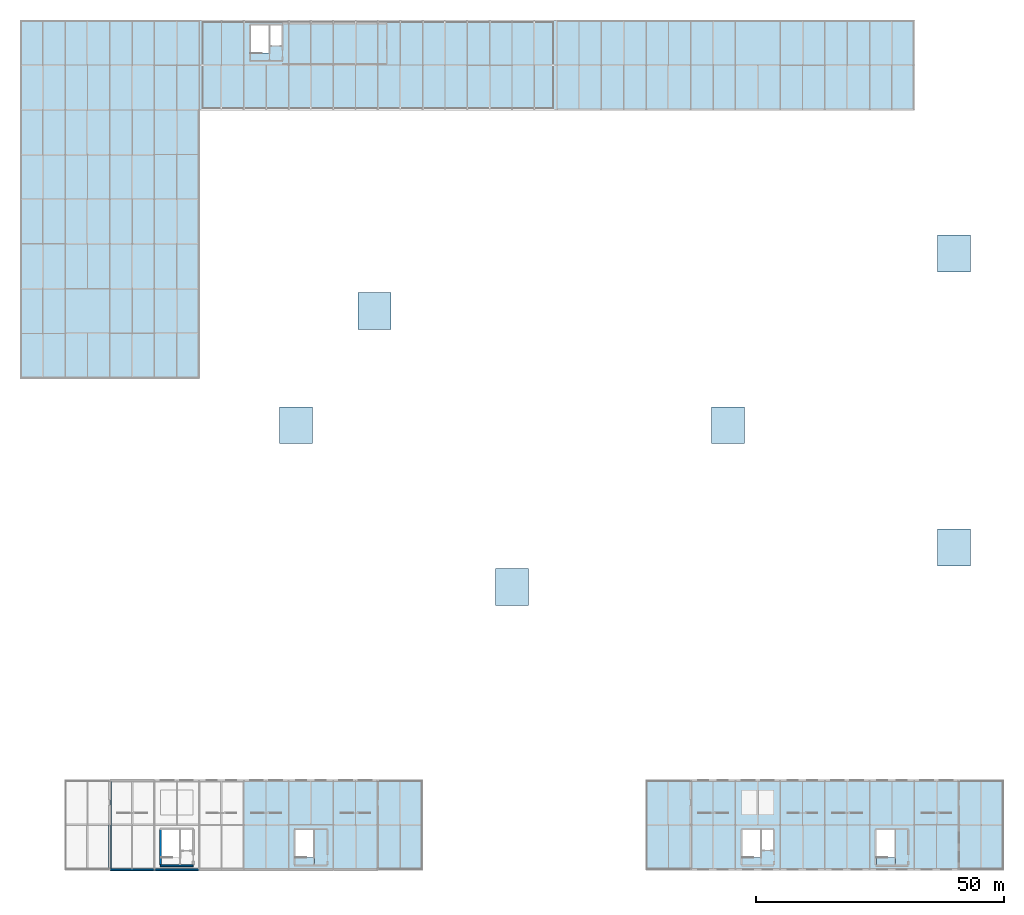
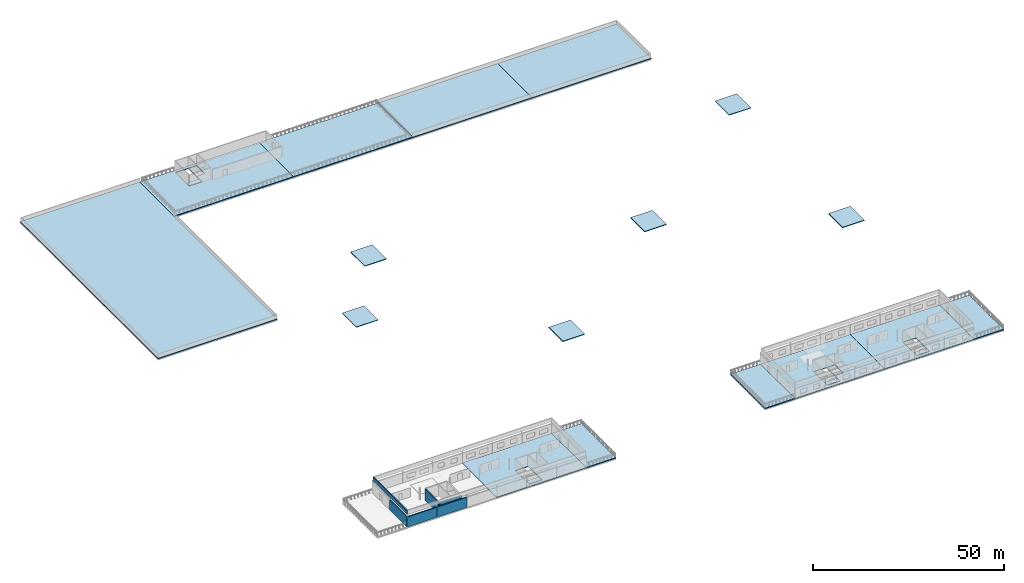
# One storey, part 8 of 18: 21 slabs, 6 walls.
"""IFC4 building model written with IfcOpenShell, lengths in metres."""

from ifc_helpers import new_model, si_unit, direction, frame, frame_2d, origin, place, context, subcontext, project, spatial, polyline, rectangle, outline, extrude, material, layer, layer_set, type_object, element, save


model = new_model("IFC4")

# Units and contexts
model_context = context("Model", 3, precision=1e-05, world=origin(), true_north=direction((0.0, 1.0)))
body_context = subcontext(model_context, "Body", "Model", "MODEL_VIEW")
ifc_project = project(units=[si_unit("LENGTHUNIT", "METRE"), si_unit("AREAUNIT", "SQUARE_METRE"), si_unit("VOLUMEUNIT", "CUBIC_METRE"), si_unit("PLANEANGLEUNIT", "RADIAN"), si_unit("MASSUNIT", "GRAM", prefix="KILO")], contexts=[model_context])

# Site, building, storey
site_placement = place(None, origin())
site = spatial("IfcSite", under=ifc_project, at=site_placement, CompositionType="ELEMENT")
building_placement = place(site_placement, origin())
building = spatial("IfcBuilding", under=site, at=building_placement, Name="Kildeholm Park Wholesale Market", CompositionType="ELEMENT")
storey_placement = place(building_placement, frame((0.0, 0.0, 13.5)))
storey = spatial("IfcBuildingStorey", under=building, at=storey_placement, Name="L03", CompositionType="ELEMENT", Elevation=13.5)

# Slabs
ifc_material_1 = material(Name="Concrete C35/45", Category="concrete")
ifc_layer_1 = layer(ifc_material_1, 0.239990234375)
ifc_layer_set_1 = layer_set([ifc_layer_1], Name="Concrete C35/45")
slab_type_1 = type_object("IfcSlabType", Name="Slab S-FL2 240 mm", PredefinedType="FLOOR", material=ifc_layer_set_1)
slab_1_placement = place(storey_placement, frame((0.0, 0.0, -0.239990234375)))
element("IfcSlab", 1, at=slab_1_placement, inside=storey, type_object=slab_type_1, Name="V5W L03 slab M part 2 SLB-0377", PredefinedType="FLOOR", context=body_context, shape_type="SweptSolid", body=[
    extrude(outline(polyline([(45.0, 18.0), (72.0, 18.0), (72.0, 0.0), (45.0, 0.0), (45.0, 18.0)]), holes=[polyline([(55.320068359375, 8.080078125), (55.320068359375, 0.919921875), (59.179931640625, 0.919921875), (59.179931640625, 8.080078125), (55.320068359375, 8.080078125)])]), origin(), (0.0, 0.0, 1.0), 0.239990234375),
])
slab_2_placement = place(storey_placement, frame((0.0, 0.0, -0.239990234375)))
element("IfcSlab", 2, at=slab_2_placement, inside=storey, type_object=slab_type_1, Name="V5E L03 slab M part 1 SLB-0390", PredefinedType="FLOOR", context=body_context, shape_type="SweptSolid", body=[
    extrude(outline(polyline([(135.0, 18.0), (162.0, 18.0), (162.0, 0.0), (135.0, 0.0), (135.0, 18.0)]), holes=[polyline([(145.320068359375, 8.080078125), (145.320068359375, 0.919921875), (149.179931640625, 0.919921875), (149.179931640625, 8.080078125), (145.320068359375, 8.080078125)]), polyline([(149.280029296875, 8.080078125), (149.280029296875, 3.820068359375), (151.679931640625, 3.820068359375), (151.679931640625, 8.080078125), (149.280029296875, 8.080078125)])]), origin(), (0.0, 0.0, 1.0), 0.239990234375),
])
slab_3_placement = place(storey_placement, frame((0.0, 0.0, -0.239990234375)))
element("IfcSlab", 3, at=slab_3_placement, inside=storey, type_object=slab_type_1, Name="V5E L03 slab M part 2 SLB-0391", PredefinedType="FLOOR", context=body_context, shape_type="SweptSolid", body=[
    extrude(outline(polyline([(162.0, 18.0), (189.0, 18.0), (189.0, 0.0), (162.0, 0.0), (162.0, 18.0)]), holes=[polyline([(172.320068359375, 8.080078125), (172.320068359375, 0.919921875), (176.179931640625, 0.919921875), (176.179931640625, 8.080078125), (172.320068359375, 8.080078125)])]), origin(), (0.0, 0.0, 1.0), 0.239990234375),
])
ifc_layer_2 = layer(ifc_material_1, 0.280029296875)
ifc_layer_set_2 = layer_set([ifc_layer_2], Name="Concrete C35/45")
slab_type_2 = type_object("IfcSlabType", Name="Slab S-RF1 280 mm", PredefinedType="ROOF", material=ifc_layer_set_2)
slab_4_placement = place(storey_placement, frame((0.0, 0.0, -0.280029296875)))
element("IfcSlab", 4, at=slab_4_placement, inside=storey, type_object=slab_type_2, Name="V4 L03 slab RFN part 1 SLB-0363", PredefinedType="ROOF", context=body_context, shape_type="SweptSolid", body=[
    extrude(outline(polyline([(108.0, 171.0), (144.0, 171.0), (144.0, 153.0), (108.0, 153.0), (108.0, 171.0)])), origin(), (0.0, 0.0, 1.0), 0.280029296875),
])
slab_5_placement = place(storey_placement, frame((0.0, 0.0, -0.280029296875)))
element("IfcSlab", 5, at=slab_5_placement, inside=storey, type_object=slab_type_2, Name="V4 L03 slab RFN part 2 SLB-0364", PredefinedType="ROOF", context=body_context, shape_type="SweptSolid", body=[
    extrude(outline(polyline([(144.0, 171.0), (180.0, 171.0), (180.0, 153.0), (144.0, 153.0), (144.0, 171.0)])), origin(), (0.0, 0.0, 1.0), 0.280029296875),
])
slab_6_placement = place(storey_placement, frame((0.0, 0.0, -0.280029296875)))
element("IfcSlab", 6, at=slab_6_placement, inside=storey, type_object=slab_type_2, Name="V4 L03 slab RFW part 1 SLB-0365", PredefinedType="ROOF", context=body_context, shape_type="SweptSolid", body=[
    extrude(outline(polyline([(0.0, 171.0), (36.0, 171.0), (36.0, 99.0), (0.0, 99.0), (0.0, 171.0)])), origin(), (0.0, 0.0, 1.0), 0.280029296875),
])
ifc_layer_3 = layer(ifc_material_1, 0.199951171875)
ifc_layer_set_3 = layer_set([ifc_layer_3], Name="Concrete C35/45")
slab_type_3 = type_object("IfcSlabType", Name="Slab S-RF3 200 mm", PredefinedType="ROOF", material=ifc_layer_set_3)
slab_7_placement = place(storey_placement, frame((0.0, 0.0, -0.5)))
element("IfcSlab", 7, at=slab_7_placement, inside=storey, type_object=slab_type_3, Name="Core C08 overrun cap slab SLB-0451", PredefinedType="ROOF", context=body_context, shape_type="SweptSolid", body=[
    extrude(outline(polyline([(139.199951171875, 85.800048828125), (145.800048828125, 85.800048828125), (145.800048828125, 93.199951171875), (139.199951171875, 93.199951171875), (139.199951171875, 85.800048828125)])), origin(), (0.0, 0.0, 1.0), 0.199951171875),
])
slab_8_placement = place(storey_placement, frame((0.0, 0.0, -0.5)))
element("IfcSlab", 8, at=slab_8_placement, inside=storey, type_object=slab_type_3, Name="Core C09 overrun cap slab SLB-0456", PredefinedType="ROOF", context=body_context, shape_type="SweptSolid", body=[
    extrude(outline(polyline([(52.199951171875, 93.199951171875), (58.800048828125, 93.199951171875), (58.800048828125, 85.800048828125), (52.199951171875, 85.800048828125), (52.199951171875, 93.199951171875)])), origin(), (0.0, 0.0, 1.0), 0.199951171875),
])
slab_9_placement = place(storey_placement, frame((0.0, 0.0, -0.5)))
element("IfcSlab", 9, at=slab_9_placement, inside=storey, type_object=slab_type_3, Name="Core C10 overrun cap slab SLB-0461", PredefinedType="ROOF", context=body_context, shape_type="SweptSolid", body=[
    extrude(outline(polyline([(95.699951171875, 60.60009765625), (102.300048828125, 60.60009765625), (102.300048828125, 53.199951171875), (95.699951171875, 53.199951171875), (95.699951171875, 60.60009765625)])), origin(), (0.0, 0.0, 1.0), 0.199951171875),
])
slab_10_placement = place(storey_placement, frame((0.0, 0.0, -0.5)))
element("IfcSlab", 10, at=slab_10_placement, inside=storey, type_object=slab_type_3, Name="Core C11 overrun cap slab SLB-0469", PredefinedType="ROOF", context=body_context, shape_type="SweptSolid", body=[
    extrude(outline(polyline([(68.0, 116.199951171875), (74.60009765625, 116.199951171875), (74.60009765625, 108.800048828125), (68.0, 108.800048828125), (68.0, 116.199951171875)])), origin(), (0.0, 0.0, 1.0), 0.199951171875),
])
slab_11_placement = place(storey_placement, frame((0.0, 0.0, -0.199951171875)))
element("IfcSlab", 11, at=slab_11_placement, inside=storey, type_object=slab_type_3, Name="Core C12 overrun cap slab SLB-0476", PredefinedType="ROOF", context=body_context, shape_type="SweptSolid", body=[
    extrude(outline(polyline([(184.699951171875, 68.60009765625), (191.300048828125, 68.60009765625), (191.300048828125, 61.199951171875), (184.699951171875, 61.199951171875), (184.699951171875, 68.60009765625)])), origin(), (0.0, 0.0, 1.0), 0.199951171875),
])
slab_12_placement = place(storey_placement, frame((0.0, 0.0, -0.199951171875)))
element("IfcSlab", 12, at=slab_12_placement, inside=storey, type_object=slab_type_3, Name="Core C13 overrun cap slab SLB-0481", PredefinedType="ROOF", context=body_context, shape_type="SweptSolid", body=[
    extrude(outline(polyline([(184.699951171875, 127.800048828125), (191.300048828125, 127.800048828125), (191.300048828125, 120.39990234375), (184.699951171875, 120.39990234375), (184.699951171875, 127.800048828125)])), origin(), (0.0, 0.0, 1.0), 0.199951171875),
])
ifc_material_2 = material(Name="Concrete C40/50", Category="concrete")
ifc_layer_4 = layer(ifc_material_2, 0.2900390625)
ifc_layer_set_4 = layer_set([ifc_layer_4], Name="Concrete C40/50")
slab_type_4 = type_object("IfcSlabType", Name="Slab S-TR1 290 mm", PredefinedType="ROOF", material=ifc_layer_set_4)
slab_13_placement = place(storey_placement, frame((0.0, 0.0, -0.2900390625)))
element("IfcSlab", 13, at=slab_13_placement, inside=storey, type_object=slab_type_4, Name="V4 L03 slab GDN part 1 SLB-0361", PredefinedType="ROOF", context=body_context, shape_type="SweptSolid", body=[
    extrude(outline(polyline([(36.0, 171.0), (72.0, 171.0), (72.0, 153.0), (36.0, 153.0), (36.0, 171.0)]), holes=[polyline([(46.320068359375, 170.080078125), (46.320068359375, 162.919921875), (50.179931640625, 162.919921875), (50.179931640625, 170.080078125), (46.320068359375, 170.080078125)]), polyline([(50.280029296875, 170.080078125), (50.280029296875, 165.820068359375), (52.679931640625, 165.820068359375), (52.679931640625, 170.080078125), (50.280029296875, 170.080078125)])]), origin(), (0.0, 0.0, 1.0), 0.2900390625),
])
slab_14_placement = place(storey_placement, frame((0.0, 0.0, -0.2900390625)))
element("IfcSlab", 14, at=slab_14_placement, inside=storey, type_object=slab_type_4, Name="V4 L03 slab GDN part 2 SLB-0362", PredefinedType="ROOF", context=body_context, shape_type="SweptSolid", body=[
    extrude(outline(polyline([(72.0, 171.0), (108.0, 171.0), (108.0, 153.0), (72.0, 153.0), (72.0, 171.0)])), origin(), (0.0, 0.0, 1.0), 0.2900390625),
])
slab_15_placement = place(storey_placement, frame((0.0, 0.0, -0.2900390625)))
element("IfcSlab", 15, at=slab_15_placement, inside=storey, type_object=slab_type_4, Name="V5W L03 slab TERE part 1 SLB-0375", PredefinedType="ROOF", context=body_context, shape_type="SweptSolid", body=[
    extrude(outline(polyline([(72.0, 18.0), (81.0, 18.0), (81.0, 0.0), (72.0, 0.0), (72.0, 18.0)])), origin(), (0.0, 0.0, 1.0), 0.2900390625),
])
slab_16_placement = place(storey_placement, frame((0.0, 0.0, -0.2900390625)))
element("IfcSlab", 16, at=slab_16_placement, inside=storey, type_object=slab_type_4, Name="V5E L03 slab TERW part 1 SLB-0388", PredefinedType="ROOF", context=body_context, shape_type="SweptSolid", body=[
    extrude(outline(polyline([(126.0, 18.0), (135.0, 18.0), (135.0, 0.0), (126.0, 0.0), (126.0, 18.0)])), origin(), (0.0, 0.0, 1.0), 0.2900390625),
])
slab_17_placement = place(storey_placement, frame((0.0, 0.0, -0.2900390625)))
element("IfcSlab", 17, at=slab_17_placement, inside=storey, type_object=slab_type_4, Name="V5E L03 slab TERE part 1 SLB-0389", PredefinedType="ROOF", context=body_context, shape_type="SweptSolid", body=[
    extrude(outline(polyline([(189.0, 18.0), (198.0, 18.0), (198.0, 0.0), (189.0, 0.0), (189.0, 18.0)])), origin(), (0.0, 0.0, 1.0), 0.2900390625),
])
ifc_layer_5 = layer(ifc_material_1, 0.239990234375)
ifc_layer_set_5 = layer_set([ifc_layer_5], Name="Concrete C35/45")
slab_type_5 = type_object("IfcSlabType", Name="Stair landing slab S-LD1 240 mm", PredefinedType="LANDING", material=ifc_layer_set_5)
slab_18_placement = place(storey_placement, frame((0.0, 0.0, -0.239990234375)))
element("IfcSlab", 18, at=slab_18_placement, inside=storey, type_object=slab_type_5, Name="Core C02 stair landing slab L03 SLB-0414", PredefinedType="LANDING", context=body_context, shape_type="SweptSolid", body=[
    extrude(outline(polyline([(46.35009765625, 162.949951171875), (50.14990234375, 162.949951171875), (50.14990234375, 164.5), (46.35009765625, 164.5), (46.35009765625, 162.949951171875)])), origin(), (0.0, 0.0, 1.0), 0.239990234375),
])
slab_19_placement = place(storey_placement, frame((0.0, 0.0, -0.239990234375)))
element("IfcSlab", 19, at=slab_19_placement, inside=storey, type_object=slab_type_5, Name="Core C05 stair landing slab L03 SLB-0432", PredefinedType="LANDING", context=body_context, shape_type="SweptSolid", body=[
    extrude(outline(polyline([(55.35009765625, 0.949951171875), (59.14990234375, 0.949951171875), (59.14990234375, 2.5), (55.35009765625, 2.5), (55.35009765625, 0.949951171875)])), origin(), (0.0, 0.0, 1.0), 0.239990234375),
])
slab_20_placement = place(storey_placement, frame((0.0, 0.0, -0.239990234375)))
element("IfcSlab", 20, at=slab_20_placement, inside=storey, type_object=slab_type_5, Name="Core C06 stair landing slab L03 SLB-0439", PredefinedType="LANDING", context=body_context, shape_type="SweptSolid", body=[
    extrude(outline(polyline([(145.35009765625, 0.949951171875), (149.14990234375, 0.949951171875), (149.14990234375, 2.5), (145.35009765625, 2.5), (145.35009765625, 0.949951171875)])), origin(), (0.0, 0.0, 1.0), 0.239990234375),
])
slab_21_placement = place(storey_placement, frame((0.0, 0.0, -0.239990234375)))
element("IfcSlab", 21, at=slab_21_placement, inside=storey, type_object=slab_type_5, Name="Core C07 stair landing slab L03 SLB-0446", PredefinedType="LANDING", context=body_context, shape_type="SweptSolid", body=[
    extrude(outline(polyline([(172.35009765625, 0.949951171875), (176.14990234375, 0.949951171875), (176.14990234375, 2.5), (172.35009765625, 2.5), (172.35009765625, 0.949951171875)])), origin(), (0.0, 0.0, 1.0), 0.239990234375),
])

# Walls
ifc_material_3 = material(Name="Precast concrete C40/50 architectural rainscreen wall", Category="concrete")
ifc_layer_6 = layer(ifc_material_3, 0.340087890625)
ifc_layer_set_6 = layer_set([ifc_layer_6], Name="Precast concrete C40/50 architectural rainscreen wall")
wall_type_1 = type_object("IfcWallType", Name="Exterior wall W-EX4 340 mm", PredefinedType="SOLIDWALL", material=ifc_layer_set_6)
for number, where, z_axis, x_axis, name in (
    (22, (18.06005859375, 0.0, 0.0), (0.0, 0.0, 1.0), (1.0, 0.0, 0.0), "Exterior wall V5W-L03-S01.1 WL-0551"),
    (23, (27.06005859375, 0.0, 0.0), (0.0, 0.0, 1.0), (1.0, 0.0, 0.0), "Exterior wall V5W-L03-S02.1 WL-0552"),
    (24, (18.0, 0.06005859375, 0.0), (0.0, 0.0, 1.0), (0.0, 1.0, 0.0), "Exterior wall V5W-L03-W.1 WL-0563"),
):
    element("IfcWall", number, at=place(storey_placement, frame(where, z_axis=z_axis, x_axis=x_axis)), inside=storey, type_object=wall_type_1, Name=name, PredefinedType="SOLIDWALL", context=body_context, shape_type="SweptSolid", body=[
        extrude(rectangle(XDim=8.8798828125, YDim=0.340087890625, at=frame_2d((4.43994140625, 0.0))), origin(), (0.0, 0.0, 1.0), 3.199951171875),
    ])
ifc_material_4 = material(Name="Red Danish clinker brick masonry parapet", Category="masonry")
ifc_layer_7 = layer(ifc_material_4, 0.280029296875)
ifc_layer_set_7 = layer_set([ifc_layer_7], Name="Red Danish clinker brick masonry parapet")
wall_type_2 = type_object("IfcWallType", Name="Exterior wall W-PR2 280 mm", PredefinedType="PARAPET", material=ifc_layer_set_7)
wall_1_placement = place(storey_placement, frame((18.139892578125, 0.139892578125, 3.89990234375), z_axis=(0.0, 0.0, 1.0), x_axis=(0.0, 1.0, 0.0)))
element("IfcWall", 25, at=wall_1_placement, inside=storey, type_object=wall_type_2, Name="V5W roof parapet W WL-0569", PredefinedType="PARAPET", context=body_context, shape_type="SweptSolid", body=[
    extrude(rectangle(XDim=17.72021484375, YDim=0.280029296875, at=frame_2d((8.860107421875, 0.0))), origin(), (0.0, 0.0, 1.0), 1.2001953125),
])
ifc_layer_8 = layer(ifc_material_2, 0.35009765625)
ifc_layer_set_8 = layer_set([ifc_layer_8], Name="Concrete C40/50")
wall_type_3 = type_object("IfcWallType", Name="Shear wall W-SH3 350 mm", PredefinedType="SHEAR", material=ifc_layer_set_8)
wall_2_placement = place(storey_placement, frame((28.199951171875, 0.800048828125, 0.0), z_axis=(0.0, 0.0, 1.0), x_axis=(1.0, 0.0, 0.0)))
element("IfcWall", 26, at=wall_2_placement, inside=storey, type_object=wall_type_3, Name="Core C04 south shear wall L03 WL-0722", PredefinedType="SHEAR", context=body_context, shape_type="SweptSolid", body=[
    extrude(rectangle(XDim=6.60009765625, YDim=0.35009765625, at=frame_2d((3.300048828125, 0.0))), origin(), (0.0, 0.0, 1.0), 3.699951171875),
])
wall_3_placement = place(storey_placement, frame((28.199951171875, 0.949951171875, 0.0), z_axis=(0.0, 0.0, 1.0), x_axis=(0.0, 1.0, 0.0)))
element("IfcWall", 27, at=wall_3_placement, inside=storey, type_object=wall_type_3, Name="Core C04 west shear wall L03 WL-0724", PredefinedType="SHEAR", context=body_context, shape_type="SweptSolid", body=[
    extrude(rectangle(XDim=7.10009765625, YDim=0.35009765625, at=frame_2d((3.550048828125, 0.0))), origin(), (0.0, 0.0, 1.0), 3.699951171875),
])

save(model, "model.ifc")
